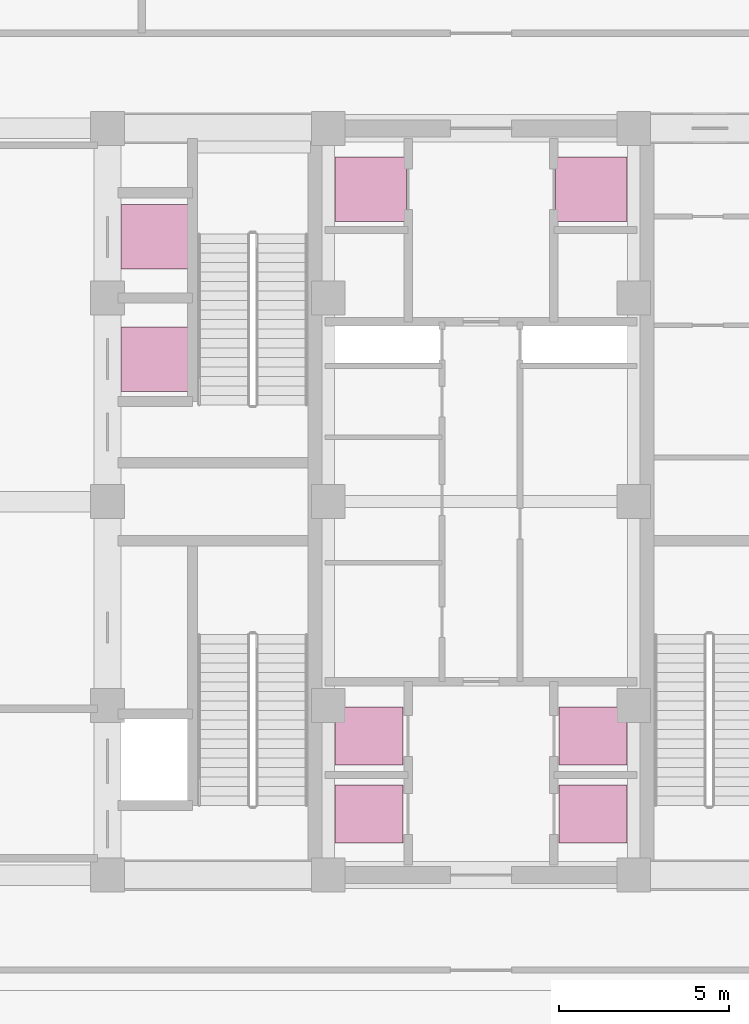
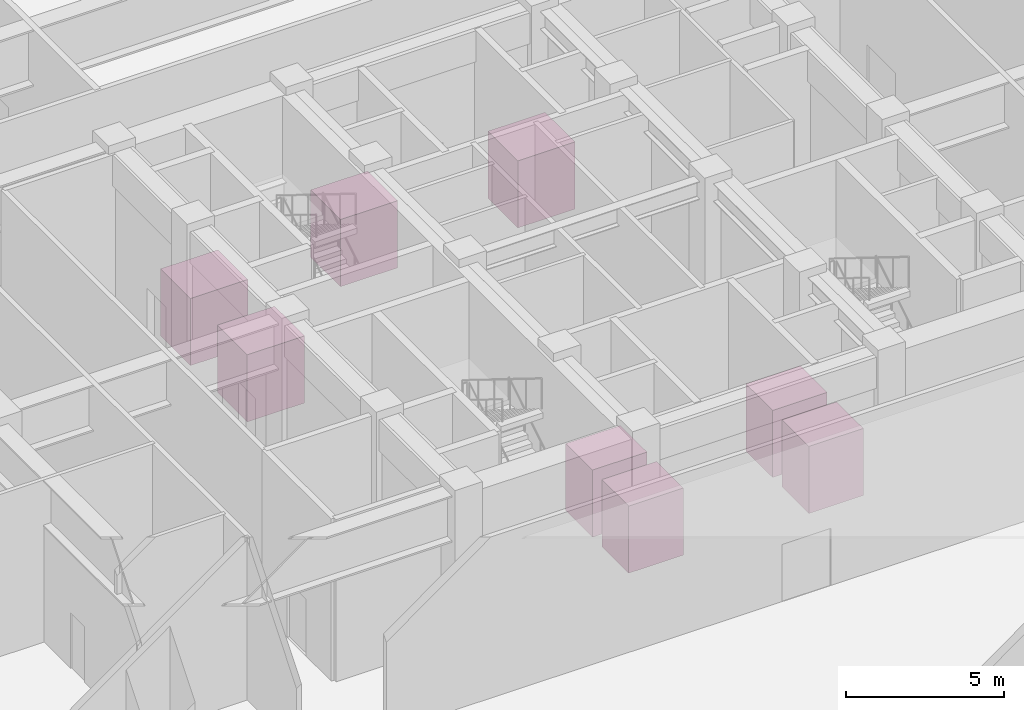
# One storey, part 21 of 21: 8 transport elements.
"""IFC4 building model written with IfcOpenShell, lengths in metres."""

from ifc_helpers import new_model, si_unit, direction, frame, origin, origin_2d, place, context, subcontext, project, spatial, rectangle, extrude, source, transform, mapped, material, type_object, element, save


model = new_model("IFC4")

# Units and contexts
model_context = context("Model", 3, precision=1e-05, world=origin(), true_north=direction((0.0, 1.0)))
body_context = subcontext(model_context, "Body", "Model", "MODEL_VIEW")
ifc_project = project(units=[si_unit("LENGTHUNIT", "METRE"), si_unit("AREAUNIT", "SQUARE_METRE"), si_unit("VOLUMEUNIT", "CUBIC_METRE"), si_unit("PLANEANGLEUNIT", "RADIAN"), si_unit("MASSUNIT", "GRAM", prefix="KILO")], contexts=[model_context])

# Site, building, storey
site_placement = place(None, origin())
site = spatial("IfcSite", under=ifc_project, at=site_placement, CompositionType="ELEMENT")
building_placement = place(site_placement, origin())
building = spatial("IfcBuilding", under=site, at=building_placement, Name="Khorayat Bourse Tower", CompositionType="ELEMENT")
storey_placement = place(building_placement, origin())
storey = spatial("IfcBuildingStorey", under=building, at=storey_placement, Name="L00", CompositionType="ELEMENT", Elevation=0.0)

# Transport elements
ifc_material_1 = material(Name="Brushed bronze elevator cab")
transport_element_type_1 = type_object("IfcTransportElementType", Name="LFT-PASS-1600", PredefinedType="ELEVATOR", material=ifc_material_1)
shared_shape_1 = source(origin(), body_context, "Body", "SweptSolid", [
    extrude(rectangle(XDim=2.0, YDim=1.699951171875, at=origin_2d()), origin(), (0.0, 0.0, 1.0), 2.60009765625),
])
for number, where, z_axis, x_axis, name in (
    (1, (-3.300048828125, -9.199951171875, 0.0), (0.0, 0.0, 1.0), (1.0, 0.0, 0.0), "Passenger Lift PL-L1 Car"),
    (2, (3.300048828125, -9.199951171875, 0.0), (0.0, 0.0, 1.0), (1.0, 0.0, 0.0), "Passenger Lift PL-L2 Car"),
    (3, (-3.300048828125, -6.89990234375, 0.0), (0.0, 0.0, 1.0), (1.0, 0.0, 0.0), "Passenger Lift PL-L3 Car"),
    (4, (3.300048828125, -6.89990234375, 0.0), (0.0, 0.0, 1.0), (1.0, 0.0, 0.0), "Passenger Lift PL-L4 Car"),
):
    element("IfcTransportElement", number, at=place(storey_placement, frame(where, z_axis=z_axis, x_axis=x_axis)), inside=storey, type_object=transport_element_type_1, Name=name, PredefinedType="ELEVATOR", context=body_context, shape_type="MappedRepresentation", body=[
        mapped(shared_shape_1, transform((0.0, 0.0, 0.0), scale=1.0)),
    ])
ifc_material_2 = material(Name="Brushed bronze shuttle cab")
transport_element_type_2 = type_object("IfcTransportElementType", Name="LFT-SHUTTLE-2000", PredefinedType="ELEVATOR", material=ifc_material_2)
shared_shape_2 = source(origin(), body_context, "Body", "SweptSolid", [
    extrude(rectangle(XDim=2.10009765625, YDim=1.89990234375, at=origin_2d()), origin(), (0.0, 0.0, 1.0), 2.60009765625),
])
for number, where, z_axis, x_axis, name in (
    (5, (-3.25, 9.199951171875, 0.0), (0.0, 0.0, 1.0), (1.0, 0.0, 0.0), "Passenger Lift PL-M1 Car"),
    (6, (3.25, 9.199951171875, 0.0), (0.0, 0.0, 1.0), (1.0, 0.0, 0.0), "Passenger Lift PL-M2 Car"),
    (7, (-9.550048828125, 4.199951171875, 0.0), (0.0, 0.0, 1.0), (1.0, 0.0, 0.0), "Passenger Lift PL-H1 Car"),
    (8, (-9.550048828125, 7.800048828125, 0.0), (0.0, 0.0, 1.0), (1.0, 0.0, 0.0), "Passenger Lift PL-H2 Car"),
):
    element("IfcTransportElement", number, at=place(storey_placement, frame(where, z_axis=z_axis, x_axis=x_axis)), inside=storey, type_object=transport_element_type_2, Name=name, PredefinedType="ELEVATOR", context=body_context, shape_type="MappedRepresentation", body=[
        mapped(shared_shape_2, transform((0.0, 0.0, 0.0), scale=1.0)),
    ])

save(model, "model.ifc")
